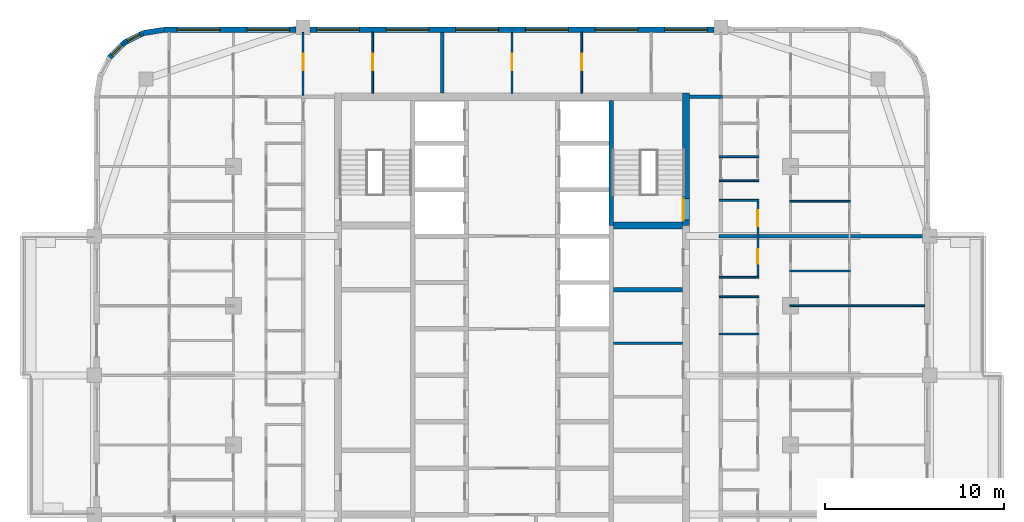
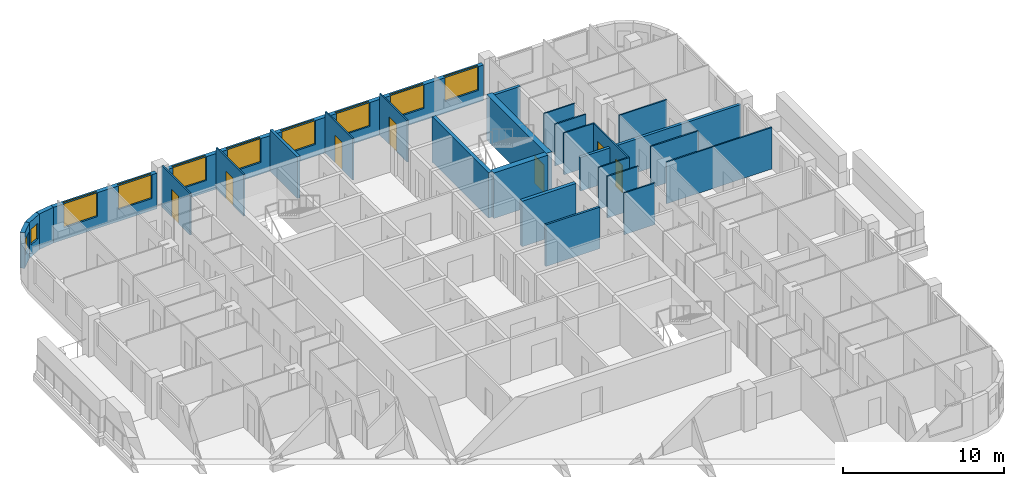
# One storey, part 10 of 15: 27 walls, 10 windows, 7 doors, 17 openings.
"""IFC4 building model written with IfcOpenShell, lengths in metres."""

from ifc_helpers import new_model, si_unit, direction, frame, frame_2d, origin, place, context, subcontext, project, spatial, rectangle, extrude, material, layer, layer_set, type_object, element, fill, save


model = new_model("IFC4")

# Units and contexts
model_context = context("Model", 3, precision=1e-05, world=origin(), true_north=direction((0.0, 1.0)))
body_context = subcontext(model_context, "Body", "Model", "MODEL_VIEW")
ifc_project = project(units=[si_unit("LENGTHUNIT", "METRE"), si_unit("AREAUNIT", "SQUARE_METRE"), si_unit("VOLUMEUNIT", "CUBIC_METRE"), si_unit("PLANEANGLEUNIT", "RADIAN"), si_unit("MASSUNIT", "GRAM", prefix="KILO")], contexts=[model_context])

# Site, building, storey
site_placement = place(None, origin())
site = spatial("IfcSite", under=ifc_project, at=site_placement, CompositionType="ELEMENT")
building_placement = place(site_placement, origin())
building = spatial("IfcBuilding", under=site, at=building_placement, Name="Ludao Terraces", CompositionType="ELEMENT")
storey_placement = place(building_placement, frame((0.0, 0.0, 197.300048828125)))
storey = spatial("IfcBuildingStorey", under=building, at=storey_placement, Name="L53", CompositionType="ELEMENT", Elevation=197.300048828125)

# Wall, opening, door
ifc_material_1 = material(Name="Concrete C50", Category="concrete")
ifc_layer_1 = layer(ifc_material_1, 0.39990234375)
ifc_layer_set_1 = layer_set([ifc_layer_1], Name="Core wall 400 C50")
wall_type_1 = type_object("IfcWallType", Name="Core wall 400 C50", PredefinedType="SOLIDWALL", material=ifc_layer_set_1)
wall_1_placement = place(storey_placement, frame((94.75, 77.300048828125, -0.300048828125), z_axis=(0.0, 0.0, 1.0), x_axis=(0.0, 1.0, 0.0)))
wall_1 = element("IfcWall", 1, at=wall_1_placement, inside=storey, type_object=wall_type_1, Name="Core wall L53 outer-E-S2", PredefinedType="SOLIDWALL", context=body_context, shape_type="SweptSolid", body=[
    extrude(rectangle(XDim=7.39990234375, YDim=0.39990234375, at=frame_2d((3.699951171875, 0.0))), origin(), (0.0, 0.0, 1.0), 3.449951171875),
])
opening_1_placement = place(wall_1_placement, frame((0.300048828125, 0.0, 0.300048828125)))
opening_1 = element("IfcOpeningElement", 2, at=opening_1_placement, cuts=wall_1, Name="Opening R19-115", PredefinedType="OPENING", context=body_context, shape_type="SweptSolid", body=[
    extrude(rectangle(XDim=1.199951171875, YDim=2.10009765625, at=frame_2d((0.60009765625, 1.050048828125))), frame((0.0, 0.2099609375, 0.0), z_axis=(0.0, -1.0, 0.0), x_axis=(1.0, 0.0, 0.0)), (0.0, 0.0, 1.0), 0.419921875),
])
ifc_material_2 = material(Name="Steel Q235", Category="steel")
door_type_1 = type_object("IfcDoorType", Name="INT Stair door 1200", OperationType="DOUBLE_DOOR_SINGLE_SWING", PredefinedType="DOOR", material=ifc_material_2)
door_1_placement = place(opening_1_placement, origin())
door_1 = element("IfcDoor", 3, at=door_1_placement, inside=storey, type_object=door_type_1, Name="DOOR 115", OperationType="DOUBLE_DOOR_SINGLE_SWING", OverallHeight=2.10009765625, OverallWidth=1.199951171875, PredefinedType="DOOR", context=body_context, shape_type="SweptSolid", body=[
    extrude(rectangle(XDim=1.199951171875, YDim=2.10009765625, at=frame_2d((0.60009765625, 1.050048828125))), frame((0.0, 0.18505859375, 0.0), z_axis=(0.0, -1.0, 0.0), x_axis=(1.0, 0.0, 0.0)), (0.0, 0.0, 1.0), 0.050048828125),
])
fill(opening_1, door_1)

# Wall, openings, windows
ifc_material_3 = material(Name="Granite cladding", Category="masonry")
ifc_layer_2 = layer(ifc_material_3, 0.0400390625, Category="stone")
ifc_material_4 = material(Name="Mineral wool")
ifc_layer_3 = layer(ifc_material_4, 0.06005859375)
ifc_material_5 = material(Name="Concrete C40", Category="concrete")
ifc_layer_4 = layer(ifc_material_5, 0.199951171875, Category="concrete")
ifc_layer_set_2 = layer_set([ifc_layer_2, ifc_layer_3, ifc_layer_4], Name="ENV Stone-clad wall 300")
wall_type_2 = type_object("IfcWallType", Name="ENV Stone-clad wall 300", PredefinedType="SOLIDWALL", material=ifc_layer_set_2)
wall_2_placement = place(storey_placement, frame((65.5, 88.25, 0.0), z_axis=(0.0, 0.0, 1.0), x_axis=(1.0, 0.0, 0.0)))
wall_2 = element("IfcWall", 4, at=wall_2_placement, inside=storey, type_object=wall_type_2, Name="EW-L53-N1", PredefinedType="SOLIDWALL", context=body_context, shape_type="SweptSolid", body=[
    extrude(rectangle(XDim=7.39990234375, YDim=0.300048828125, at=frame_2d((3.699951171875, 0.0))), origin(), (0.0, 0.0, 1.0), 2.699951171875),
])
opening_2_placement = place(wall_2_placement, frame((0.75, 0.0, 0.89990234375)))
opening_2 = element("IfcOpeningElement", 5, at=opening_2_placement, cuts=wall_2, Name="Opening W1", PredefinedType="OPENING", context=body_context, shape_type="SweptSolid", body=[
    extrude(rectangle(XDim=2.39990234375, YDim=1.800048828125, at=frame_2d((1.199951171875, 0.89990234375))), frame((0.0, 0.16015625, 0.0), z_axis=(0.0, -1.0, 0.0), x_axis=(1.0, 0.0, 0.0)), (0.0, 0.0, 1.0), 0.320068359375),
])
opening_3_placement = place(wall_2_placement, frame((4.64990234375, 0.0, 0.89990234375)))
opening_3 = element("IfcOpeningElement", 6, at=opening_3_placement, cuts=wall_2, Name="Opening W1", PredefinedType="OPENING", context=body_context, shape_type="SweptSolid", body=[
    extrude(rectangle(XDim=2.39990234375, YDim=1.800048828125, at=frame_2d((1.199951171875, 0.89990234375))), frame((0.0, 0.16015625, 0.0), z_axis=(0.0, -1.0, 0.0), x_axis=(1.0, 0.0, 0.0)), (0.0, 0.0, 1.0), 0.320068359375),
])
ifc_material_6 = material(Name="Clear glass in aluminium frame", Category="aluminium")
ifc_layer_5 = layer(ifc_material_6, 0.06005859375)
ifc_layer_set_3 = layer_set([ifc_layer_5], Name="ENV Window W1 2400x1800")
window_type_1 = type_object("IfcWindowType", Name="ENV Window W1 2400x1800", PartitioningType="DOUBLE_PANEL_VERTICAL", PredefinedType="WINDOW", material=ifc_layer_set_3)
window_1_placement = place(opening_2_placement, origin())
window_1 = element("IfcWindow", 7, at=window_1_placement, inside=storey, type_object=window_type_1, Name="W-L53-N1-1", OverallHeight=1.800048828125, OverallWidth=2.39990234375, PartitioningType="DOUBLE_PANEL_VERTICAL", PredefinedType="WINDOW", context=body_context, shape_type="SweptSolid", body=[
    extrude(rectangle(XDim=2.39990234375, YDim=1.800048828125, at=frame_2d((1.199951171875, 0.89990234375))), frame((0.0, 0.030029296875, 0.0), z_axis=(0.0, -1.0, 0.0), x_axis=(1.0, 0.0, 0.0)), (0.0, 0.0, 1.0), 0.06005859375),
])
fill(opening_2, window_1)
window_2_placement = place(opening_3_placement, origin())
window_2 = element("IfcWindow", 8, at=window_2_placement, inside=storey, type_object=window_type_1, Name="W-L53-N1-2", OverallHeight=1.800048828125, OverallWidth=2.39990234375, PartitioningType="DOUBLE_PANEL_VERTICAL", PredefinedType="WINDOW", context=body_context, shape_type="SweptSolid", body=[
    extrude(rectangle(XDim=2.39990234375, YDim=1.800048828125, at=frame_2d((1.199951171875, 0.89990234375))), frame((0.0, 0.030029296875, 0.0), z_axis=(0.0, -1.0, 0.0), x_axis=(1.0, 0.0, 0.0)), (0.0, 0.0, 1.0), 0.06005859375),
])
fill(opening_3, window_2)

wall_3_placement = place(storey_placement, frame((73.699951171875, 88.25, 0.0), z_axis=(0.0, 0.0, 1.0), x_axis=(1.0, 0.0, 0.0)))
wall_3 = element("IfcWall", 9, at=wall_3_placement, inside=storey, type_object=wall_type_2, Name="EW-L53-N2", PredefinedType="SOLIDWALL", context=body_context, shape_type="SweptSolid", body=[
    extrude(rectangle(XDim=22.60009765625, YDim=0.300048828125, at=frame_2d((11.300048828125, 0.0))), origin(), (0.0, 0.0, 1.0), 2.699951171875),
])
opening_4_placement = place(wall_3_placement, frame((0.35009765625, 0.0, 0.89990234375)))
opening_4 = element("IfcOpeningElement", 10, at=opening_4_placement, cuts=wall_3, Name="Opening W1", PredefinedType="OPENING", context=body_context, shape_type="SweptSolid", body=[
    extrude(rectangle(XDim=2.39990234375, YDim=1.800048828125, at=frame_2d((1.199951171875, 0.89990234375))), frame((0.0, 0.16015625, 0.0), z_axis=(0.0, -1.0, 0.0), x_axis=(1.0, 0.0, 0.0)), (0.0, 0.0, 1.0), 0.320068359375),
])
opening_5_placement = place(wall_3_placement, frame((4.25, 0.0, 0.89990234375)))
opening_5 = element("IfcOpeningElement", 11, at=opening_5_placement, cuts=wall_3, Name="Opening W1", PredefinedType="OPENING", context=body_context, shape_type="SweptSolid", body=[
    extrude(rectangle(XDim=2.39990234375, YDim=1.800048828125, at=frame_2d((1.199951171875, 0.89990234375))), frame((0.0, 0.16015625, 0.0), z_axis=(0.0, -1.0, 0.0), x_axis=(1.0, 0.0, 0.0)), (0.0, 0.0, 1.0), 0.320068359375),
])
opening_6_placement = place(wall_3_placement, frame((8.14990234375, 0.0, 0.89990234375)))
opening_6 = element("IfcOpeningElement", 12, at=opening_6_placement, cuts=wall_3, Name="Opening W1", PredefinedType="OPENING", context=body_context, shape_type="SweptSolid", body=[
    extrude(rectangle(XDim=2.39990234375, YDim=1.800048828125, at=frame_2d((1.199951171875, 0.89990234375))), frame((0.0, 0.16015625, 0.0), z_axis=(0.0, -1.0, 0.0), x_axis=(1.0, 0.0, 0.0)), (0.0, 0.0, 1.0), 0.320068359375),
])
opening_7_placement = place(wall_3_placement, frame((12.050048828125, 0.0, 0.89990234375)))
opening_7 = element("IfcOpeningElement", 13, at=opening_7_placement, cuts=wall_3, Name="Opening W1", PredefinedType="OPENING", context=body_context, shape_type="SweptSolid", body=[
    extrude(rectangle(XDim=2.39990234375, YDim=1.800048828125, at=frame_2d((1.199951171875, 0.89990234375))), frame((0.0, 0.16015625, 0.0), z_axis=(0.0, -1.0, 0.0), x_axis=(1.0, 0.0, 0.0)), (0.0, 0.0, 1.0), 0.320068359375),
])
opening_8_placement = place(wall_3_placement, frame((15.949951171875, 0.0, 0.89990234375)))
opening_8 = element("IfcOpeningElement", 14, at=opening_8_placement, cuts=wall_3, Name="Opening W1", PredefinedType="OPENING", context=body_context, shape_type="SweptSolid", body=[
    extrude(rectangle(XDim=2.39990234375, YDim=1.800048828125, at=frame_2d((1.199951171875, 0.89990234375))), frame((0.0, 0.16015625, 0.0), z_axis=(0.0, -1.0, 0.0), x_axis=(1.0, 0.0, 0.0)), (0.0, 0.0, 1.0), 0.320068359375),
])
opening_9_placement = place(wall_3_placement, frame((19.85009765625, 0.0, 0.89990234375)))
opening_9 = element("IfcOpeningElement", 15, at=opening_9_placement, cuts=wall_3, Name="Opening W1", PredefinedType="OPENING", context=body_context, shape_type="SweptSolid", body=[
    extrude(rectangle(XDim=2.39990234375, YDim=1.800048828125, at=frame_2d((1.199951171875, 0.89990234375))), frame((0.0, 0.16015625, 0.0), z_axis=(0.0, -1.0, 0.0), x_axis=(1.0, 0.0, 0.0)), (0.0, 0.0, 1.0), 0.320068359375),
])
window_3_placement = place(opening_4_placement, origin())
window_3 = element("IfcWindow", 16, at=window_3_placement, inside=storey, type_object=window_type_1, Name="W-L53-N2-1", OverallHeight=1.800048828125, OverallWidth=2.39990234375, PartitioningType="DOUBLE_PANEL_VERTICAL", PredefinedType="WINDOW", context=body_context, shape_type="SweptSolid", body=[
    extrude(rectangle(XDim=2.39990234375, YDim=1.800048828125, at=frame_2d((1.199951171875, 0.89990234375))), frame((0.0, 0.030029296875, 0.0), z_axis=(0.0, -1.0, 0.0), x_axis=(1.0, 0.0, 0.0)), (0.0, 0.0, 1.0), 0.06005859375),
])
fill(opening_4, window_3)
window_4_placement = place(opening_5_placement, origin())
window_4 = element("IfcWindow", 17, at=window_4_placement, inside=storey, type_object=window_type_1, Name="W-L53-N2-2", OverallHeight=1.800048828125, OverallWidth=2.39990234375, PartitioningType="DOUBLE_PANEL_VERTICAL", PredefinedType="WINDOW", context=body_context, shape_type="SweptSolid", body=[
    extrude(rectangle(XDim=2.39990234375, YDim=1.800048828125, at=frame_2d((1.199951171875, 0.89990234375))), frame((0.0, 0.030029296875, 0.0), z_axis=(0.0, -1.0, 0.0), x_axis=(1.0, 0.0, 0.0)), (0.0, 0.0, 1.0), 0.06005859375),
])
fill(opening_5, window_4)
window_5_placement = place(opening_6_placement, origin())
window_5 = element("IfcWindow", 18, at=window_5_placement, inside=storey, type_object=window_type_1, Name="W-L53-N2-3", OverallHeight=1.800048828125, OverallWidth=2.39990234375, PartitioningType="DOUBLE_PANEL_VERTICAL", PredefinedType="WINDOW", context=body_context, shape_type="SweptSolid", body=[
    extrude(rectangle(XDim=2.39990234375, YDim=1.800048828125, at=frame_2d((1.199951171875, 0.89990234375))), frame((0.0, 0.030029296875, 0.0), z_axis=(0.0, -1.0, 0.0), x_axis=(1.0, 0.0, 0.0)), (0.0, 0.0, 1.0), 0.06005859375),
])
fill(opening_6, window_5)
window_6_placement = place(opening_7_placement, origin())
window_6 = element("IfcWindow", 19, at=window_6_placement, inside=storey, type_object=window_type_1, Name="W-L53-N2-4", OverallHeight=1.800048828125, OverallWidth=2.39990234375, PartitioningType="DOUBLE_PANEL_VERTICAL", PredefinedType="WINDOW", context=body_context, shape_type="SweptSolid", body=[
    extrude(rectangle(XDim=2.39990234375, YDim=1.800048828125, at=frame_2d((1.199951171875, 0.89990234375))), frame((0.0, 0.030029296875, 0.0), z_axis=(0.0, -1.0, 0.0), x_axis=(1.0, 0.0, 0.0)), (0.0, 0.0, 1.0), 0.06005859375),
])
fill(opening_7, window_6)
window_7_placement = place(opening_8_placement, origin())
window_7 = element("IfcWindow", 20, at=window_7_placement, inside=storey, type_object=window_type_1, Name="W-L53-N2-5", OverallHeight=1.800048828125, OverallWidth=2.39990234375, PartitioningType="DOUBLE_PANEL_VERTICAL", PredefinedType="WINDOW", context=body_context, shape_type="SweptSolid", body=[
    extrude(rectangle(XDim=2.39990234375, YDim=1.800048828125, at=frame_2d((1.199951171875, 0.89990234375))), frame((0.0, 0.030029296875, 0.0), z_axis=(0.0, -1.0, 0.0), x_axis=(1.0, 0.0, 0.0)), (0.0, 0.0, 1.0), 0.06005859375),
])
fill(opening_8, window_7)
window_8_placement = place(opening_9_placement, origin())
window_8 = element("IfcWindow", 21, at=window_8_placement, inside=storey, type_object=window_type_1, Name="W-L53-N2-6", OverallHeight=1.800048828125, OverallWidth=2.39990234375, PartitioningType="DOUBLE_PANEL_VERTICAL", PredefinedType="WINDOW", context=body_context, shape_type="SweptSolid", body=[
    extrude(rectangle(XDim=2.39990234375, YDim=1.800048828125, at=frame_2d((1.199951171875, 0.89990234375))), frame((0.0, 0.030029296875, 0.0), z_axis=(0.0, -1.0, 0.0), x_axis=(1.0, 0.0, 0.0)), (0.0, 0.0, 1.0), 0.06005859375),
])
fill(opening_9, window_8)

# Wall
wall_4_placement = place(storey_placement, frame((65.5, 88.25, 0.0), z_axis=(0.0, 0.0, 1.0), x_axis=(-0.987678452879, -0.156496880861, 0.0)))
element("IfcWall", 22, at=wall_4_placement, inside=storey, type_object=wall_type_2, Name="EW-L53-NW1", PredefinedType="SOLIDWALL", context=body_context, shape_type="SweptSolid", body=[
    extrude(rectangle(XDim=1.173095703125, YDim=0.300048828125, at=frame_2d((0.58642578125, 0.0))), origin(), (0.0, 0.0, 1.0), 2.699951171875),
])

# Wall, opening, window
wall_5_placement = place(storey_placement, frame((64.34130859375, 88.06640625, 0.0), z_axis=(0.0, 0.0, 1.0), x_axis=(-0.890988677504, -0.454025524128, 0.0)))
wall_5 = element("IfcWall", 23, at=wall_5_placement, inside=storey, type_object=wall_type_2, Name="EW-L53-NW2", PredefinedType="SOLIDWALL", context=body_context, shape_type="SweptSolid", body=[
    extrude(rectangle(XDim=1.17333984375, YDim=0.300048828125, at=frame_2d((0.586669921875, 0.0))), origin(), (0.0, 0.0, 1.0), 2.699951171875),
])
opening_10_placement = place(wall_5_placement, frame((0.1865234375, 0.0, 0.89990234375)))
opening_10 = element("IfcOpeningElement", 24, at=opening_10_placement, cuts=wall_5, Name="Opening W3", PredefinedType="OPENING", context=body_context, shape_type="SweptSolid", body=[
    extrude(rectangle(XDim=0.800048828125, YDim=1.199951171875, at=frame_2d((0.39990234375, 0.60009765625))), frame((0.0, 0.16015625, 0.0), z_axis=(0.0, -1.0, 0.0), x_axis=(1.0, 0.0, 0.0)), (0.0, 0.0, 1.0), 0.320068359375),
])
ifc_layer_6 = layer(ifc_material_6, 0.06005859375)
ifc_layer_set_4 = layer_set([ifc_layer_6], Name="ENV Window W3 800x1200")
window_type_2 = type_object("IfcWindowType", Name="ENV Window W3 800x1200", PartitioningType="SINGLE_PANEL", PredefinedType="WINDOW", material=ifc_layer_set_4)
window_9_placement = place(opening_10_placement, origin())
window_9 = element("IfcWindow", 25, at=window_9_placement, inside=storey, type_object=window_type_2, Name="W-L53-NW2", OverallHeight=1.199951171875, OverallWidth=0.800048828125, PartitioningType="SINGLE_PANEL", PredefinedType="WINDOW", context=body_context, shape_type="SweptSolid", body=[
    extrude(rectangle(XDim=0.800048828125, YDim=1.199951171875, at=frame_2d((0.39990234375, 0.60009765625))), frame((0.0, 0.030029296875, 0.0), z_axis=(0.0, -1.0, 0.0), x_axis=(1.0, 0.0, 0.0)), (0.0, 0.0, 1.0), 0.06005859375),
])
fill(opening_10, window_9)

wall_6_placement = place(storey_placement, frame((63.2958984375, 87.53369140625, 0.0), z_axis=(0.0, 0.0, 1.0), x_axis=(-0.707106781187, -0.707106781187, 0.0)))
wall_6 = element("IfcWall", 26, at=wall_6_placement, inside=storey, type_object=wall_type_2, Name="EW-L53-NW3", PredefinedType="SOLIDWALL", context=body_context, shape_type="SweptSolid", body=[
    extrude(rectangle(XDim=1.173095703125, YDim=0.300048828125, at=frame_2d((0.58642578125, 0.0))), origin(), (0.0, 0.0, 1.0), 2.699951171875),
])
opening_11_placement = place(wall_6_placement, frame((0.1865234375, 0.0, 0.89990234375)))
opening_11 = element("IfcOpeningElement", 27, at=opening_11_placement, cuts=wall_6, Name="Opening W3", PredefinedType="OPENING", context=body_context, shape_type="SweptSolid", body=[
    extrude(rectangle(XDim=0.800048828125, YDim=1.199951171875, at=frame_2d((0.39990234375, 0.60009765625))), frame((0.0, 0.16015625, 0.0), z_axis=(0.0, -1.0, 0.0), x_axis=(1.0, 0.0, 0.0)), (0.0, 0.0, 1.0), 0.320068359375),
])
window_10_placement = place(opening_11_placement, origin())
window_10 = element("IfcWindow", 28, at=window_10_placement, inside=storey, type_object=window_type_2, Name="W-L53-NW3", OverallHeight=1.199951171875, OverallWidth=0.800048828125, PartitioningType="SINGLE_PANEL", PredefinedType="WINDOW", context=body_context, shape_type="SweptSolid", body=[
    extrude(rectangle(XDim=0.800048828125, YDim=1.199951171875, at=frame_2d((0.39990234375, 0.60009765625))), frame((0.0, 0.030029296875, 0.0), z_axis=(0.0, -1.0, 0.0), x_axis=(1.0, 0.0, 0.0)), (0.0, 0.0, 1.0), 0.06005859375),
])
fill(opening_11, window_10)

# Walls
ifc_material_7 = material(Name="Fire-rated gypsum plasterboard", Category="gypsum")
ifc_layer_7 = layer(ifc_material_7, 0.012451171875, Category="gypsum")
ifc_layer_8 = layer(ifc_material_4, 0.10009765625, Name="insulation")
ifc_layer_9 = layer(ifc_material_2, 0.02490234375, Name="stud")
ifc_layer_10 = layer(ifc_material_7, 0.012451171875, Category="gypsum")
ifc_layer_set_5 = layer_set([ifc_layer_7, ifc_layer_8, ifc_layer_9, ifc_layer_10], Name="INT Core partition 150")
wall_type_3 = type_object("IfcWallType", Name="INT Core partition 150", PredefinedType="PARTITIONING", material=ifc_layer_set_5)
wall_7_placement = place(storey_placement, frame((90.675048828125, 70.699951171875, 0.0), z_axis=(0.0, 0.0, 1.0), x_axis=(1.0, 0.0, 0.0)))
element("IfcWall", 29, at=wall_7_placement, inside=storey, type_object=wall_type_3, Name="PW-L53-PW043", PredefinedType="PARTITIONING", context=body_context, shape_type="SweptSolid", body=[
    extrude(rectangle(XDim=3.875, YDim=0.14990234375, at=frame_2d((1.9375, 0.0))), origin(), (0.0, 0.0, 1.0), 3.14990234375),
])
ifc_material_8 = material(Name="Autoclaved aerated concrete block B06 A3.5", Category="concrete")
ifc_layer_11 = layer(ifc_material_8, 0.199951171875)
ifc_layer_set_6 = layer_set([ifc_layer_11], Name="INT Entrance wall 200")
wall_type_4 = type_object("IfcWallType", Name="INT Entrance wall 200", PredefinedType="PARTITIONING", material=ifc_layer_set_6)
wall_8_placement = place(storey_placement, frame((94.9501953125, 84.5, 0.0), z_axis=(0.0, 0.0, 1.0), x_axis=(1.0, 0.0, 0.0)))
element("IfcWall", 30, at=wall_8_placement, inside=storey, type_object=wall_type_4, Name="PW-L53-PW073", PredefinedType="PARTITIONING", context=body_context, shape_type="SweptSolid", body=[
    extrude(rectangle(XDim=1.849853515625, YDim=0.199951171875, at=frame_2d((0.9248046875, 0.0))), origin(), (0.0, 0.0, 1.0), 3.14990234375),
])
ifc_material_9 = material(Name="Gypsum plasterboard", Category="gypsum")
ifc_layer_12 = layer(ifc_material_9, 0.012451171875, Category="gypsum")
ifc_layer_13 = layer(ifc_material_4, 0.06005859375, Name="insulation")
ifc_layer_14 = layer(ifc_material_2, 0.014892578125, Name="stud")
ifc_layer_15 = layer(ifc_material_9, 0.012451171875, Category="gypsum")
ifc_layer_set_7 = layer_set([ifc_layer_12, ifc_layer_13, ifc_layer_14, ifc_layer_15], Name="INT Partition 100")
wall_type_5 = type_object("IfcWallType", Name="INT Partition 100", PredefinedType="PARTITIONING", material=ifc_layer_set_7)
wall_9_placement = place(storey_placement, frame((96.60009765625, 71.219970703125, 0.0), z_axis=(0.0, 0.0, 1.0), x_axis=(1.0, 0.0, 0.0)))
element("IfcWall", 31, at=wall_9_placement, inside=storey, type_object=wall_type_5, Name="PW-L53-PW045", PredefinedType="PARTITIONING", context=body_context, shape_type="SweptSolid", body=[
    extrude(rectangle(XDim=2.219970703125, YDim=0.10009765625, at=frame_2d((1.10986328125, 0.0))), origin(), (0.0, 0.0, 1.0), 3.14990234375),
])
wall_10_placement = place(storey_placement, frame((100.550048828125, 72.800048828125, 0.0), z_axis=(0.0, 0.0, 1.0), x_axis=(1.0, 0.0, 0.0)))
element("IfcWall", 32, at=wall_10_placement, inside=storey, type_object=wall_type_5, Name="PW-L53-PW049", PredefinedType="PARTITIONING", context=body_context, shape_type="SweptSolid", body=[
    extrude(rectangle(XDim=7.550048828125, YDim=0.10009765625, at=frame_2d((3.77490234375, 0.0))), origin(), (0.0, 0.0, 1.0), 3.14990234375),
])
for number, where, z_axis, x_axis, name in (
    (33, (96.60009765625, 73.300048828125, 0.0), (0.0, 0.0, 1.0), (1.0, 0.0, 0.0), "PW-L53-PW050"),
    (34, (96.60009765625, 74.39990234375, 0.0), (0.0, 0.0, 1.0), (1.0, 0.0, 0.0), "PW-L53-PW052"),
):
    element("IfcWall", number, at=place(storey_placement, frame(where, z_axis=z_axis, x_axis=x_axis)), inside=storey, type_object=wall_type_5, Name=name, PredefinedType="PARTITIONING", context=body_context, shape_type="SweptSolid", body=[
        extrude(rectangle(XDim=2.219970703125, YDim=0.10009765625, at=frame_2d((1.10986328125, 0.0))), origin(), (0.0, 0.0, 1.0), 3.14990234375),
    ])
for number, where, z_axis, x_axis, name in (
    (35, (100.550048828125, 74.75, 0.0), (0.0, 0.0, 1.0), (1.0, 0.0, 0.0), "PW-L53-PW054"),
    (36, (100.550048828125, 78.64990234375, 0.0), (0.0, 0.0, 1.0), (1.0, 0.0, 0.0), "PW-L53-PW060"),
):
    element("IfcWall", number, at=place(storey_placement, frame(where, z_axis=z_axis, x_axis=x_axis)), inside=storey, type_object=wall_type_5, Name=name, PredefinedType="PARTITIONING", context=body_context, shape_type="SweptSolid", body=[
        extrude(rectangle(XDim=3.400146484375, YDim=0.10009765625, at=frame_2d((1.7001953125, 0.0))), origin(), (0.0, 0.0, 1.0), 3.14990234375),
    ])
for number, where, z_axis, x_axis, name in (
    (37, (96.60009765625, 78.699951171875, 0.0), (0.0, 0.0, 1.0), (1.0, 0.0, 0.0), "PW-L53-PW061"),
    (38, (96.60009765625, 79.800048828125, 0.0), (0.0, 0.0, 1.0), (1.0, 0.0, 0.0), "PW-L53-PW063"),
    (39, (96.60009765625, 81.14990234375, 0.0), (0.0, 0.0, 1.0), (1.0, 0.0, 0.0), "PW-L53-PW066"),
):
    element("IfcWall", number, at=place(storey_placement, frame(where, z_axis=z_axis, x_axis=x_axis)), inside=storey, type_object=wall_type_5, Name=name, PredefinedType="PARTITIONING", context=body_context, shape_type="SweptSolid", body=[
        extrude(rectangle(XDim=2.219970703125, YDim=0.10009765625, at=frame_2d((1.10986328125, 0.0))), origin(), (0.0, 0.0, 1.0), 3.14990234375),
    ])

# Wall, opening, door
wall_11_placement = place(storey_placement, frame((73.300048828125, 84.60009765625, 0.0), z_axis=(0.0, 0.0, 1.0), x_axis=(0.0, 1.0, 0.0)))
wall_11 = element("IfcWall", 40, at=wall_11_placement, inside=storey, type_object=wall_type_5, Name="PW-L53-PW084", PredefinedType="PARTITIONING", context=body_context, shape_type="SweptSolid", body=[
    extrude(rectangle(XDim=3.5, YDim=0.10009765625, at=frame_2d((1.75, 0.0))), origin(), (0.0, 0.0, 1.0), 3.14990234375),
])
opening_12_placement = place(wall_11_placement, frame((1.39990234375, 0.0, 0.0)))
opening_12 = element("IfcOpeningElement", 41, at=opening_12_placement, cuts=wall_11, Name="Opening R19-141", PredefinedType="OPENING", context=body_context, shape_type="SweptSolid", body=[
    extrude(rectangle(XDim=0.89990234375, YDim=2.10009765625, at=frame_2d((0.449951171875, 1.050048828125))), frame((0.0, 0.06005859375, 0.0), z_axis=(0.0, -1.0, 0.0), x_axis=(1.0, 0.0, 0.0)), (0.0, 0.0, 1.0), 0.1201171875),
])
ifc_material_10 = material(Name="Timber door leaf", Category="wood")
door_type_2 = type_object("IfcDoorType", Name="INT Room door 900", OperationType="SINGLE_SWING_LEFT", PredefinedType="DOOR", material=ifc_material_10)
door_2_placement = place(opening_12_placement, origin())
door_2 = element("IfcDoor", 42, at=door_2_placement, inside=storey, type_object=door_type_2, Name="DOOR 141", OperationType="SINGLE_SWING_LEFT", OverallHeight=2.10009765625, OverallWidth=0.89990234375, PredefinedType="DOOR", context=body_context, shape_type="SweptSolid", body=[
    extrude(rectangle(XDim=0.89990234375, YDim=2.10009765625, at=frame_2d((0.449951171875, 1.050048828125))), frame((0.0, 0.02490234375, 0.0), z_axis=(0.0, -1.0, 0.0), x_axis=(1.0, 0.0, 0.0)), (0.0, 0.0, 1.0), 0.050048828125),
])
fill(opening_12, door_2)

wall_12_placement = place(storey_placement, frame((77.199951171875, 84.7001953125, 0.0), z_axis=(0.0, 0.0, 1.0), x_axis=(0.0, 1.0, 0.0)))
wall_12 = element("IfcWall", 43, at=wall_12_placement, inside=storey, type_object=wall_type_5, Name="PW-L53-PW085", PredefinedType="PARTITIONING", context=body_context, shape_type="SweptSolid", body=[
    extrude(rectangle(XDim=3.39990234375, YDim=0.10009765625, at=frame_2d((1.699951171875, 0.0))), origin(), (0.0, 0.0, 1.0), 3.14990234375),
])
opening_13_placement = place(wall_12_placement, frame((1.2998046875, 0.0, 0.0)))
opening_13 = element("IfcOpeningElement", 44, at=opening_13_placement, cuts=wall_12, Name="Opening R19-142", PredefinedType="OPENING", context=body_context, shape_type="SweptSolid", body=[
    extrude(rectangle(XDim=0.89990234375, YDim=2.10009765625, at=frame_2d((0.449951171875, 1.050048828125))), frame((0.0, 0.06005859375, 0.0), z_axis=(0.0, -1.0, 0.0), x_axis=(1.0, 0.0, 0.0)), (0.0, 0.0, 1.0), 0.1201171875),
])
door_3_placement = place(opening_13_placement, origin())
door_3 = element("IfcDoor", 45, at=door_3_placement, inside=storey, type_object=door_type_2, Name="DOOR 142", OperationType="SINGLE_SWING_LEFT", OverallHeight=2.10009765625, OverallWidth=0.89990234375, PredefinedType="DOOR", context=body_context, shape_type="SweptSolid", body=[
    extrude(rectangle(XDim=0.89990234375, YDim=2.10009765625, at=frame_2d((0.449951171875, 1.050048828125))), frame((0.0, 0.02490234375, 0.0), z_axis=(0.0, -1.0, 0.0), x_axis=(1.0, 0.0, 0.0)), (0.0, 0.0, 1.0), 0.050048828125),
])
fill(opening_13, door_3)

wall_13_placement = place(storey_placement, frame((85.0, 84.7001953125, 0.0), z_axis=(0.0, 0.0, 1.0), x_axis=(0.0, 1.0, 0.0)))
wall_13 = element("IfcWall", 46, at=wall_13_placement, inside=storey, type_object=wall_type_5, Name="PW-L53-PW089", PredefinedType="PARTITIONING", context=body_context, shape_type="SweptSolid", body=[
    extrude(rectangle(XDim=3.39990234375, YDim=0.10009765625, at=frame_2d((1.699951171875, 0.0))), origin(), (0.0, 0.0, 1.0), 3.14990234375),
])
opening_14_placement = place(wall_13_placement, frame((1.2998046875, 0.0, 0.0)))
opening_14 = element("IfcOpeningElement", 47, at=opening_14_placement, cuts=wall_13, Name="Opening R19-143", PredefinedType="OPENING", context=body_context, shape_type="SweptSolid", body=[
    extrude(rectangle(XDim=0.89990234375, YDim=2.10009765625, at=frame_2d((0.449951171875, 1.050048828125))), frame((0.0, 0.06005859375, 0.0), z_axis=(0.0, -1.0, 0.0), x_axis=(1.0, 0.0, 0.0)), (0.0, 0.0, 1.0), 0.1201171875),
])
door_4_placement = place(opening_14_placement, origin())
door_4 = element("IfcDoor", 48, at=door_4_placement, inside=storey, type_object=door_type_2, Name="DOOR 143", OperationType="SINGLE_SWING_RIGHT", OverallHeight=2.10009765625, OverallWidth=0.89990234375, PredefinedType="DOOR", context=body_context, shape_type="SweptSolid", body=[
    extrude(rectangle(XDim=0.89990234375, YDim=2.10009765625, at=frame_2d((0.449951171875, 1.050048828125))), frame((0.0, 0.02490234375, 0.0), z_axis=(0.0, -1.0, 0.0), x_axis=(1.0, 0.0, 0.0)), (0.0, 0.0, 1.0), 0.050048828125),
])
fill(opening_14, door_4)

wall_14_placement = place(storey_placement, frame((88.89990234375, 84.7001953125, 0.0), z_axis=(0.0, 0.0, 1.0), x_axis=(0.0, 1.0, 0.0)))
wall_14 = element("IfcWall", 49, at=wall_14_placement, inside=storey, type_object=wall_type_5, Name="PW-L53-PW092", PredefinedType="PARTITIONING", context=body_context, shape_type="SweptSolid", body=[
    extrude(rectangle(XDim=3.39990234375, YDim=0.10009765625, at=frame_2d((1.699951171875, 0.0))), origin(), (0.0, 0.0, 1.0), 3.14990234375),
])
opening_15_placement = place(wall_14_placement, frame((1.2998046875, 0.0, 0.0)))
opening_15 = element("IfcOpeningElement", 50, at=opening_15_placement, cuts=wall_14, Name="Opening R19-144", PredefinedType="OPENING", context=body_context, shape_type="SweptSolid", body=[
    extrude(rectangle(XDim=0.89990234375, YDim=2.10009765625, at=frame_2d((0.449951171875, 1.050048828125))), frame((0.0, 0.06005859375, 0.0), z_axis=(0.0, -1.0, 0.0), x_axis=(1.0, 0.0, 0.0)), (0.0, 0.0, 1.0), 0.1201171875),
])
door_5_placement = place(opening_15_placement, origin())
door_5 = element("IfcDoor", 51, at=door_5_placement, inside=storey, type_object=door_type_2, Name="DOOR 144", OperationType="SINGLE_SWING_LEFT", OverallHeight=2.10009765625, OverallWidth=0.89990234375, PredefinedType="DOOR", context=body_context, shape_type="SweptSolid", body=[
    extrude(rectangle(XDim=0.89990234375, YDim=2.10009765625, at=frame_2d((0.449951171875, 1.050048828125))), frame((0.0, 0.02490234375, 0.0), z_axis=(0.0, -1.0, 0.0), x_axis=(1.0, 0.0, 0.0)), (0.0, 0.0, 1.0), 0.050048828125),
])
fill(opening_15, door_5)

# Wall, openings, doors
wall_15_placement = place(storey_placement, frame((98.77001953125, 74.4501953125, 0.0), z_axis=(0.0, 0.0, 1.0), x_axis=(0.0, 1.0, 0.0)))
wall_15 = element("IfcWall", 52, at=wall_15_placement, inside=storey, type_object=wall_type_5, Name="PW-L53-PW100", PredefinedType="PARTITIONING", context=body_context, shape_type="SweptSolid", body=[
    extrude(rectangle(XDim=4.199951171875, YDim=0.10009765625, at=frame_2d((2.10009765625, 0.0))), origin(), (0.0, 0.0, 1.0), 3.14990234375),
])
opening_16_placement = place(wall_15_placement, frame((0.699951171875, 0.0, 0.0)))
opening_16 = element("IfcOpeningElement", 53, at=opening_16_placement, cuts=wall_15, Name="Opening R19-102", PredefinedType="OPENING", context=body_context, shape_type="SweptSolid", body=[
    extrude(rectangle(XDim=0.800048828125, YDim=2.10009765625, at=frame_2d((0.39990234375, 1.050048828125))), frame((0.0, 0.06005859375, 0.0), z_axis=(0.0, -1.0, 0.0), x_axis=(1.0, 0.0, 0.0)), (0.0, 0.0, 1.0), 0.1201171875),
])
opening_17_placement = place(wall_15_placement, frame((2.7998046875, 0.0, 0.0)))
opening_17 = element("IfcOpeningElement", 54, at=opening_17_placement, cuts=wall_15, Name="Opening R19-111", PredefinedType="OPENING", context=body_context, shape_type="SweptSolid", body=[
    extrude(rectangle(XDim=0.89990234375, YDim=2.10009765625, at=frame_2d((0.449951171875, 1.050048828125))), frame((0.0, 0.06005859375, 0.0), z_axis=(0.0, -1.0, 0.0), x_axis=(1.0, 0.0, 0.0)), (0.0, 0.0, 1.0), 0.1201171875),
])
door_type_3 = type_object("IfcDoorType", Name="INT Bathroom door 900", OperationType="SINGLE_SWING_LEFT", PredefinedType="DOOR", material=ifc_material_10)
door_6_placement = place(opening_17_placement, origin())
door_6 = element("IfcDoor", 55, at=door_6_placement, inside=storey, type_object=door_type_3, Name="DOOR 111", OperationType="SINGLE_SWING_LEFT", OverallHeight=2.10009765625, OverallWidth=0.89990234375, PredefinedType="DOOR", context=body_context, shape_type="SweptSolid", body=[
    extrude(rectangle(XDim=0.89990234375, YDim=2.10009765625, at=frame_2d((0.449951171875, 1.050048828125))), frame((0.0, 0.02490234375, 0.0), z_axis=(0.0, -1.0, 0.0), x_axis=(1.0, 0.0, 0.0)), (0.0, 0.0, 1.0), 0.050048828125),
])
fill(opening_17, door_6)
door_type_4 = type_object("IfcDoorType", Name="INT Store door 800", OperationType="SINGLE_SWING_LEFT", PredefinedType="DOOR", material=ifc_material_10)
door_7_placement = place(opening_16_placement, origin())
door_7 = element("IfcDoor", 56, at=door_7_placement, inside=storey, type_object=door_type_4, Name="DOOR 102", OperationType="SINGLE_SWING_RIGHT", OverallHeight=2.10009765625, OverallWidth=0.800048828125, PredefinedType="DOOR", context=body_context, shape_type="SweptSolid", body=[
    extrude(rectangle(XDim=0.800048828125, YDim=2.10009765625, at=frame_2d((0.39990234375, 1.050048828125))), frame((0.0, 0.02490234375, 0.0), z_axis=(0.0, -1.0, 0.0), x_axis=(1.0, 0.0, 0.0)), (0.0, 0.0, 1.0), 0.050048828125),
])
fill(opening_16, door_7)

# Walls
ifc_layer_16 = layer(ifc_material_8, 0.199951171875)
ifc_layer_set_8 = layer_set([ifc_layer_16], Name="INT Party wall 200")
wall_type_6 = type_object("IfcWallType", Name="INT Party wall 200", PredefinedType="PARTITIONING", material=ifc_layer_set_8)
wall_16_placement = place(storey_placement, frame((96.60009765625, 76.699951171875, 0.0), z_axis=(0.0, 0.0, 1.0), x_axis=(1.0, 0.0, 0.0)))
element("IfcWall", 57, at=wall_16_placement, inside=storey, type_object=wall_type_6, Name="PW-L53-PW057", PredefinedType="PARTITIONING", context=body_context, shape_type="SweptSolid", body=[
    extrude(rectangle(XDim=11.5, YDim=0.199951171875, at=frame_2d((5.75, 0.0))), origin(), (0.0, 0.0, 1.0), 2.5498046875),
])
wall_17_placement = place(storey_placement, frame((81.10009765625, 84.7001953125, 0.0), z_axis=(0.0, 0.0, 1.0), x_axis=(0.0, 1.0, 0.0)))
element("IfcWall", 58, at=wall_17_placement, inside=storey, type_object=wall_type_6, Name="PW-L53-PW088", PredefinedType="PARTITIONING", context=body_context, shape_type="SweptSolid", body=[
    extrude(rectangle(XDim=3.39990234375, YDim=0.199951171875, at=frame_2d((1.699951171875, 0.0))), origin(), (0.0, 0.0, 1.0), 3.14990234375),
])
ifc_layer_17 = layer(ifc_material_1, 0.25)
ifc_layer_set_9 = layer_set([ifc_layer_17], Name="Shaft wall 250 C50")
wall_type_7 = type_object("IfcWallType", Name="Shaft wall 250 C50", PredefinedType="SOLIDWALL", material=ifc_layer_set_9)
wall_18_placement = place(storey_placement, frame((90.550048828125, 77.300048828125, -0.300048828125), z_axis=(0.0, 0.0, 1.0), x_axis=(0.0, 1.0, 0.0)))
element("IfcWall", 59, at=wall_18_placement, inside=storey, type_object=wall_type_7, Name="Core wall L53 back-E-S2", PredefinedType="SOLIDWALL", context=body_context, shape_type="SweptSolid", body=[
    extrude(rectangle(XDim=7.0, YDim=0.25, at=frame_2d((3.5, 0.0))), origin(), (0.0, 0.0, 1.0), 3.449951171875),
])
wall_19_placement = place(storey_placement, frame((90.675048828125, 73.699951171875, -0.300048828125), z_axis=(0.0, 0.0, 1.0), x_axis=(1.0, 0.0, 0.0)))
element("IfcWall", 60, at=wall_19_placement, inside=storey, type_object=wall_type_7, Name="Core wall L53 riser-b-E", PredefinedType="SOLIDWALL", context=body_context, shape_type="SweptSolid", body=[
    extrude(rectangle(XDim=3.875, YDim=0.25, at=frame_2d((1.9375, 0.0))), origin(), (0.0, 0.0, 1.0), 3.449951171875),
])
ifc_layer_18 = layer(ifc_material_1, 0.39990234375)
ifc_layer_set_10 = layer_set([ifc_layer_18], Name="Shaft wall 400 C50")
wall_type_8 = type_object("IfcWallType", Name="Shaft wall 400 C50", PredefinedType="SOLIDWALL", material=ifc_layer_set_10)
wall_20_placement = place(storey_placement, frame((90.675048828125, 77.300048828125, -0.300048828125), z_axis=(0.0, 0.0, 1.0), x_axis=(1.0, 0.0, 0.0)))
element("IfcWall", 61, at=wall_20_placement, inside=storey, type_object=wall_type_8, Name="Core wall L53 stair-E", PredefinedType="SOLIDWALL", context=body_context, shape_type="SweptSolid", body=[
    extrude(rectangle(XDim=3.875, YDim=0.39990234375, at=frame_2d((1.9375, 0.0))), origin(), (0.0, 0.0, 1.0), 3.449951171875),
])

save(model, "model.ifc")
